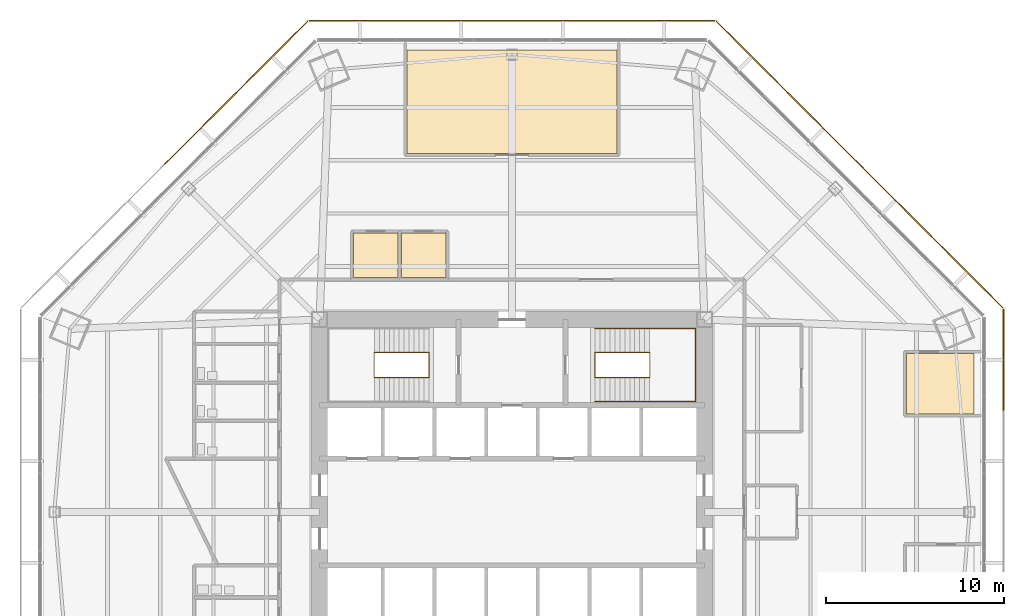
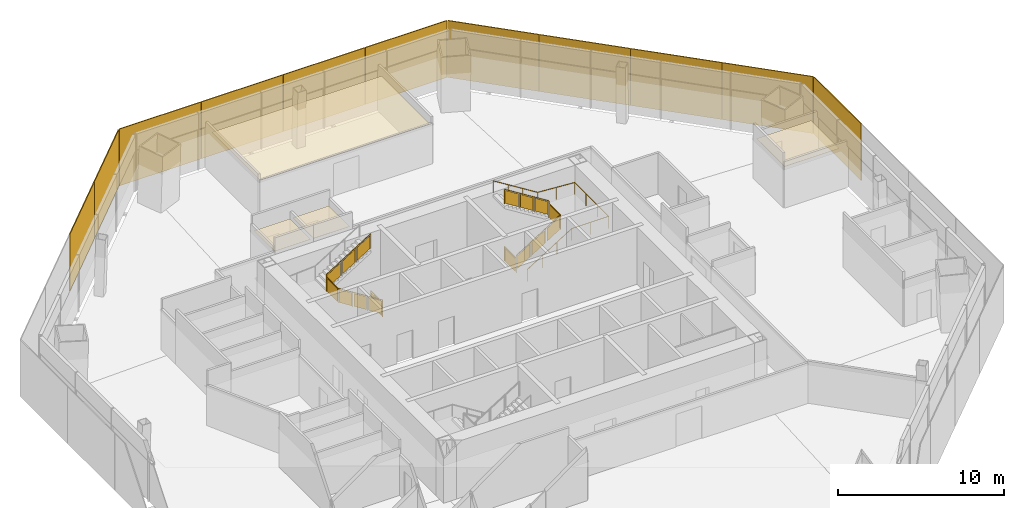
# One storey, part 13 of 14: 11 shading devices, 4 coverings, 3 railings.
"""IFC4 building model written with IfcOpenShell, lengths in metres."""

from ifc_helpers import new_model, si_unit, direction, frame, origin, origin_2d, place, context, subcontext, project, spatial, polyline, rectangle, circle, outline, extrude, source, transform, mapped, material, layer, layer_set, type_object, type_shapes, element, save


model = new_model("IFC4")

# Units and contexts
model_context = context("Model", 3, precision=1e-05, world=origin(), true_north=direction((0.0, 1.0)))
body_context = subcontext(model_context, "Body", "Model", "MODEL_VIEW")
ifc_project = project(units=[si_unit("LENGTHUNIT", "METRE"), si_unit("AREAUNIT", "SQUARE_METRE"), si_unit("VOLUMEUNIT", "CUBIC_METRE"), si_unit("PLANEANGLEUNIT", "RADIAN"), si_unit("MASSUNIT", "GRAM", prefix="KILO")], contexts=[model_context])

# Site, building, storey
site_placement = place(None, origin())
site = spatial("IfcSite", under=ifc_project, at=site_placement, CompositionType="ELEMENT")
building_placement = place(site_placement, origin())
building = spatial("IfcBuilding", under=site, at=building_placement, Name="Mashrafa Tower", CompositionType="ELEMENT")
storey_placement = place(building_placement, frame((0.0, 0.0, 54.0)))
storey = spatial("IfcBuildingStorey", under=building, at=storey_placement, Name="L11", CompositionType="ELEMENT", Elevation=54.0)

# Railings
ifc_material_1 = material(Name="Steel guard with glass infill", Category="steel")
railing_type_1 = type_object("IfcRailingType", Name="Stair guard 1100", PredefinedType="GUARDRAIL", material=ifc_material_1)
railing_1_placement = place(storey_placement, frame((-4.64990234375, 8.949951171875, 0.0)))
element("IfcRailing", 1, at=railing_1_placement, inside=storey, type_object=railing_type_1, Name="Stair S1 guard L11", PredefinedType="GUARDRAIL", context=body_context, shape_type="SweptSolid", body=[
    extrude(circle(Radius=0.02392578125, at=origin_2d()), frame((0.0, 0.0, 1.076171875), z_axis=(0.0, -1.0, 0.0), x_axis=(1.0, 0.0, 0.0)), (0.0, 0.0, 1.0), 1.39990234375),
    extrude(circle(Radius=0.02392578125, at=origin_2d()), frame((0.0, -1.39990234375, 1.076171875), z_axis=(0.0, 0.0, 1.0), x_axis=(1.0, 0.0, 0.0)), (0.0, 0.0, 1.0), 0.175048828125),
    extrude(circle(Radius=0.02392578125, at=origin_2d()), frame((0.0, -1.39990234375, 1.2509765625), z_axis=(-0.847998304005, 0.0, 0.529998940003), x_axis=(0.0, -1.0, 0.0)), (0.0, 0.0, 1.0), 3.632080078125),
    extrude(circle(Radius=0.02392578125, at=origin_2d()), frame((-3.080078125, -1.39990234375, 3.17626953125), z_axis=(0.0, 1.0, 0.0), x_axis=(-1.0, 0.0, 0.0)), (0.0, 0.0, 1.0), 1.39990234375),
    extrude(circle(Radius=0.02392578125, at=origin_2d()), frame((-3.080078125, 0.0, 3.17626953125), z_axis=(0.0, 0.0, 1.0), x_axis=(1.0, 0.0, 0.0)), (0.0, 0.0, 1.0), 0.1748046875),
    extrude(circle(Radius=0.02392578125, at=origin_2d()), frame((-3.080078125, 0.0, 3.35107421875), z_axis=(0.847998304005, 0.0, 0.529998940003), x_axis=(0.0, 1.0, 0.0)), (0.0, 0.0, 1.0), 3.632080078125),
    extrude(circle(Radius=0.02099609375, at=origin_2d()), origin(), (0.0, 0.0, 1.0), 1.052001953125),
    extrude(circle(Radius=0.02099609375, at=origin_2d()), frame((0.0, -1.39990234375, 0.0)), (0.0, 0.0, 1.0), 1.052001953125),
    extrude(circle(Radius=0.02099609375, at=origin_2d()), frame((0.0, -1.39990234375, 0.175048828125)), (0.0, 0.0, 1.0), 1.052001953125),
    extrude(circle(Radius=0.02099609375, at=origin_2d()), frame((-1.026611328125, -1.39990234375, 0.816650390625)), (0.0, 0.0, 1.0), 1.052001953125),
    extrude(circle(Radius=0.02099609375, at=origin_2d()), frame((-2.053466796875, -1.39990234375, 1.45849609375)), (0.0, 0.0, 1.0), 1.052001953125),
    extrude(circle(Radius=0.02099609375, at=origin_2d()), frame((-3.080078125, -1.39990234375, 2.10009765625)), (0.0, 0.0, 1.0), 1.052001953125),
    extrude(circle(Radius=0.02099609375, at=origin_2d()), frame((-3.080078125, 0.0, 2.10009765625)), (0.0, 0.0, 1.0), 1.052001953125),
    extrude(circle(Radius=0.02099609375, at=origin_2d()), frame((-3.080078125, 0.0, 2.27490234375)), (0.0, 0.0, 1.0), 1.052001953125),
    extrude(circle(Radius=0.02099609375, at=origin_2d()), frame((-2.053466796875, 0.0, 2.91650390625)), (0.0, 0.0, 1.0), 1.052001953125),
    extrude(circle(Radius=0.02099609375, at=origin_2d()), frame((-1.026611328125, 0.0, 3.558349609375)), (0.0, 0.0, 1.0), 1.052001953125),
    extrude(circle(Radius=0.02099609375, at=origin_2d()), frame((0.0, 0.0, 4.199951171875)), (0.0, 0.0, 1.0), 1.052001953125),
    extrude(outline(polyline([(0.071044921875, 0.050048828125), (1.328857421875, 0.050048828125), (1.328857421875, 1.001953125), (0.071044921875, 1.001953125), (0.071044921875, 0.050048828125)])), frame((-0.006103515625, 0.0, 0.0), z_axis=(-1.0, 0.0, 0.0), x_axis=(0.0, -1.0, 0.0)), (0.0, 0.0, 1.0), 0.011962890625),
    extrude(outline(polyline([(0.071044921875, 0.094482421875), (0.955810546875, 0.647216796875), (0.955810546875, 1.599365234375), (0.071044921875, 1.04638671875), (0.071044921875, 0.094482421875)])), frame((0.0, -1.393798828125, 0.175048828125), z_axis=(0.0, 1.0, 0.0), x_axis=(-1.0, 0.0, 0.0)), (0.0, 0.0, 1.0), 0.011962890625),
    extrude(outline(polyline([(1.09765625, 0.736083984375), (1.982421875, 1.2890625), (1.982421875, 2.240966796875), (1.09765625, 1.68798828125), (1.09765625, 0.736083984375)])), frame((0.0, -1.393798828125, 0.175048828125), z_axis=(0.0, 1.0, 0.0), x_axis=(-1.0, 0.0, 0.0)), (0.0, 0.0, 1.0), 0.011962890625),
    extrude(outline(polyline([(2.124267578125, 1.377685546875), (3.009033203125, 1.9306640625), (3.009033203125, 2.882568359375), (2.124267578125, 2.329833984375), (2.124267578125, 1.377685546875)])), frame((0.0, -1.393798828125, 0.175048828125), z_axis=(0.0, 1.0, 0.0), x_axis=(-1.0, 0.0, 0.0)), (0.0, 0.0, 1.0), 0.011962890625),
    extrude(outline(polyline([(0.071044921875, 0.050048828125), (1.328857421875, 0.050048828125), (1.328857421875, 1.001953125), (0.071044921875, 1.001953125), (0.071044921875, 0.050048828125)])), frame((-3.073974609375, -1.39990234375, 2.10009765625), z_axis=(1.0, 0.0, 0.0), x_axis=(0.0, 1.0, 0.0)), (0.0, 0.0, 1.0), 0.011962890625),
    extrude(outline(polyline([(0.071044921875, 0.094482421875), (0.955810546875, 0.647216796875), (0.955810546875, 1.599365234375), (0.071044921875, 1.04638671875), (0.071044921875, 0.094482421875)])), frame((-3.080078125, -0.006103515625, 2.27490234375), z_axis=(0.0, -1.0, 0.0), x_axis=(1.0, 0.0, 0.0)), (0.0, 0.0, 1.0), 0.011962890625),
    extrude(outline(polyline([(1.09765625, 0.736083984375), (1.982421875, 1.2890625), (1.982421875, 2.240966796875), (1.09765625, 1.68798828125), (1.09765625, 0.736083984375)])), frame((-3.080078125, -0.006103515625, 2.27490234375), z_axis=(0.0, -1.0, 0.0), x_axis=(1.0, 0.0, 0.0)), (0.0, 0.0, 1.0), 0.011962890625),
    extrude(outline(polyline([(2.124267578125, 1.377685546875), (3.009033203125, 1.9306640625), (3.009033203125, 2.882568359375), (2.124267578125, 2.329833984375), (2.124267578125, 1.377685546875)])), frame((-3.080078125, -0.006103515625, 2.27490234375), z_axis=(0.0, -1.0, 0.0), x_axis=(1.0, 0.0, 0.0)), (0.0, 0.0, 1.0), 0.011962890625),
])
railing_2_placement = place(storey_placement, frame((4.64990234375, 8.949951171875, 0.0)))
element("IfcRailing", 2, at=railing_2_placement, inside=storey, type_object=railing_type_1, Name="Stair S2 guard L11", PredefinedType="GUARDRAIL", context=body_context, shape_type="SweptSolid", body=[
    extrude(circle(Radius=0.02392578125, at=origin_2d()), frame((0.0, 0.0, 1.076171875), z_axis=(0.0, -1.0, 0.0), x_axis=(1.0, 0.0, 0.0)), (0.0, 0.0, 1.0), 1.39990234375),
    extrude(circle(Radius=0.02392578125, at=origin_2d()), frame((0.0, -1.39990234375, 1.076171875), z_axis=(0.0, 0.0, 1.0), x_axis=(1.0, 0.0, 0.0)), (0.0, 0.0, 1.0), 0.175048828125),
    extrude(circle(Radius=0.02392578125, at=origin_2d()), frame((0.0, -1.39990234375, 1.2509765625), z_axis=(0.847998304005, 0.0, 0.529998940003), x_axis=(0.0, 1.0, 0.0)), (0.0, 0.0, 1.0), 3.632080078125),
    extrude(circle(Radius=0.02392578125, at=origin_2d()), frame((3.080078125, -1.39990234375, 3.17626953125), z_axis=(0.0, 1.0, 0.0), x_axis=(-1.0, 0.0, 0.0)), (0.0, 0.0, 1.0), 1.39990234375),
    extrude(circle(Radius=0.02392578125, at=origin_2d()), frame((3.080078125, 0.0, 3.17626953125), z_axis=(0.0, 0.0, 1.0), x_axis=(1.0, 0.0, 0.0)), (0.0, 0.0, 1.0), 0.1748046875),
    extrude(circle(Radius=0.02392578125, at=origin_2d()), frame((3.080078125, 0.0, 3.35107421875), z_axis=(-0.847998304005, 0.0, 0.529998940003), x_axis=(0.0, -1.0, 0.0)), (0.0, 0.0, 1.0), 3.632080078125),
    extrude(circle(Radius=0.02099609375, at=origin_2d()), origin(), (0.0, 0.0, 1.0), 1.052001953125),
    extrude(circle(Radius=0.02099609375, at=origin_2d()), frame((0.0, -1.39990234375, 0.0)), (0.0, 0.0, 1.0), 1.052001953125),
    extrude(circle(Radius=0.02099609375, at=origin_2d()), frame((0.0, -1.39990234375, 0.175048828125)), (0.0, 0.0, 1.0), 1.052001953125),
    extrude(circle(Radius=0.02099609375, at=origin_2d()), frame((1.026611328125, -1.39990234375, 0.816650390625)), (0.0, 0.0, 1.0), 1.052001953125),
    extrude(circle(Radius=0.02099609375, at=origin_2d()), frame((2.053466796875, -1.39990234375, 1.45849609375)), (0.0, 0.0, 1.0), 1.052001953125),
    extrude(circle(Radius=0.02099609375, at=origin_2d()), frame((3.080078125, -1.39990234375, 2.10009765625)), (0.0, 0.0, 1.0), 1.052001953125),
    extrude(circle(Radius=0.02099609375, at=origin_2d()), frame((3.080078125, 0.0, 2.10009765625)), (0.0, 0.0, 1.0), 1.052001953125),
    extrude(circle(Radius=0.02099609375, at=origin_2d()), frame((3.080078125, 0.0, 2.27490234375)), (0.0, 0.0, 1.0), 1.052001953125),
    extrude(circle(Radius=0.02099609375, at=origin_2d()), frame((2.053466796875, 0.0, 2.91650390625)), (0.0, 0.0, 1.0), 1.052001953125),
    extrude(circle(Radius=0.02099609375, at=origin_2d()), frame((1.026611328125, 0.0, 3.558349609375)), (0.0, 0.0, 1.0), 1.052001953125),
    extrude(circle(Radius=0.02099609375, at=origin_2d()), frame((0.0, 0.0, 4.199951171875)), (0.0, 0.0, 1.0), 1.052001953125),
    extrude(outline(polyline([(0.071044921875, 0.050048828125), (1.328857421875, 0.050048828125), (1.328857421875, 1.001953125), (0.071044921875, 1.001953125), (0.071044921875, 0.050048828125)])), frame((-0.006103515625, 0.0, 0.0), z_axis=(-1.0, 0.0, 0.0), x_axis=(0.0, -1.0, 0.0)), (0.0, 0.0, 1.0), 0.011962890625),
    extrude(outline(polyline([(0.071044921875, 0.094482421875), (0.955810546875, 0.647216796875), (0.955810546875, 1.599365234375), (0.071044921875, 1.04638671875), (0.071044921875, 0.094482421875)])), frame((0.0, -1.406005859375, 0.175048828125), z_axis=(0.0, -1.0, 0.0), x_axis=(1.0, 0.0, 0.0)), (0.0, 0.0, 1.0), 0.011962890625),
    extrude(outline(polyline([(1.09765625, 0.736083984375), (1.982421875, 1.2890625), (1.982421875, 2.240966796875), (1.09765625, 1.68798828125), (1.09765625, 0.736083984375)])), frame((0.0, -1.406005859375, 0.175048828125), z_axis=(0.0, -1.0, 0.0), x_axis=(1.0, 0.0, 0.0)), (0.0, 0.0, 1.0), 0.011962890625),
    extrude(outline(polyline([(2.124267578125, 1.377685546875), (3.009033203125, 1.9306640625), (3.009033203125, 2.882568359375), (2.124267578125, 2.329833984375), (2.124267578125, 1.377685546875)])), frame((0.0, -1.406005859375, 0.175048828125), z_axis=(0.0, -1.0, 0.0), x_axis=(1.0, 0.0, 0.0)), (0.0, 0.0, 1.0), 0.011962890625),
    extrude(outline(polyline([(0.071044921875, 0.050048828125), (1.328857421875, 0.050048828125), (1.328857421875, 1.001953125), (0.071044921875, 1.001953125), (0.071044921875, 0.050048828125)])), frame((3.086181640625, -1.39990234375, 2.10009765625), z_axis=(1.0, 0.0, 0.0), x_axis=(0.0, 1.0, 0.0)), (0.0, 0.0, 1.0), 0.011962890625),
    extrude(outline(polyline([(0.071044921875, 0.094482421875), (0.955810546875, 0.647216796875), (0.955810546875, 1.599365234375), (0.071044921875, 1.04638671875), (0.071044921875, 0.094482421875)])), frame((3.080078125, 0.006103515625, 2.27490234375), z_axis=(0.0, 1.0, 0.0), x_axis=(-1.0, 0.0, 0.0)), (0.0, 0.0, 1.0), 0.011962890625),
    extrude(outline(polyline([(1.09765625, 0.736083984375), (1.982421875, 1.2890625), (1.982421875, 2.240966796875), (1.09765625, 1.68798828125), (1.09765625, 0.736083984375)])), frame((3.080078125, 0.006103515625, 2.27490234375), z_axis=(0.0, 1.0, 0.0), x_axis=(-1.0, 0.0, 0.0)), (0.0, 0.0, 1.0), 0.011962890625),
    extrude(outline(polyline([(2.124267578125, 1.377685546875), (3.009033203125, 1.9306640625), (3.009033203125, 2.882568359375), (2.124267578125, 2.329833984375), (2.124267578125, 1.377685546875)])), frame((3.080078125, 0.006103515625, 2.27490234375), z_axis=(0.0, 1.0, 0.0), x_axis=(-1.0, 0.0, 0.0)), (0.0, 0.0, 1.0), 0.011962890625),
])
ifc_material_2 = material(Name="Steel", Category="steel")
railing_type_2 = type_object("IfcRailingType", Name="Stair handrail 900", PredefinedType="HANDRAIL", material=ifc_material_2)
railing_3_placement = place(storey_placement, frame((4.64990234375, 6.199951171875, 0.175048828125)))
element("IfcRailing", 3, at=railing_3_placement, inside=storey, type_object=railing_type_2, Name="Stair S2 handrail L11", PredefinedType="HANDRAIL", context=body_context, shape_type="SweptSolid", body=[
    extrude(circle(Radius=0.02392578125, at=origin_2d()), frame((0.0, 0.0, 0.8759765625), z_axis=(0.847998304005, 0.0, 0.529998940003), x_axis=(0.0, 1.0, 0.0)), (0.0, 0.0, 1.0), 3.632080078125),
    extrude(circle(Radius=0.02392578125, at=origin_2d()), frame((3.080078125, 0.0, 2.80078125), z_axis=(1.0, 0.0, 0.0), x_axis=(0.0, 1.0, 0.0)), (0.0, 0.0, 1.0), 2.570068359375),
    extrude(circle(Radius=0.02392578125, at=origin_2d()), frame((5.650146484375, 0.0, 2.80078125), z_axis=(0.0, 1.0, 0.0), x_axis=(-1.0, 0.0, 0.0)), (0.0, 0.0, 1.0), 4.10009765625),
    extrude(circle(Radius=0.02392578125, at=origin_2d()), frame((5.650146484375, 4.10009765625, 2.80078125), z_axis=(-0.99769493506, 0.0, 0.067858798661), x_axis=(0.0, -1.0, 0.0)), (0.0, 0.0, 1.0), 2.575927734375),
    extrude(circle(Radius=0.02392578125, at=origin_2d()), frame((3.080078125, 4.10009765625, 2.9755859375), z_axis=(-0.847998304005, 0.0, 0.529998940003), x_axis=(0.0, -1.0, 0.0)), (0.0, 0.0, 1.0), 3.632080078125),
    extrude(circle(Radius=0.02099609375, at=origin_2d()), origin(), (0.0, 0.0, 1.0), 0.851806640625),
    extrude(circle(Radius=0.02099609375, at=origin_2d()), frame((1.026611328125, 0.0, 0.6416015625)), (0.0, 0.0, 1.0), 0.851806640625),
    extrude(circle(Radius=0.02099609375, at=origin_2d()), frame((2.053466796875, 0.0, 1.283447265625)), (0.0, 0.0, 1.0), 0.851806640625),
    extrude(circle(Radius=0.02099609375, at=origin_2d()), frame((3.080078125, 0.0, 1.925048828125)), (0.0, 0.0, 1.0), 0.851806640625),
    extrude(circle(Radius=0.02099609375, at=origin_2d()), frame((4.365234375, 0.0, 1.925048828125)), (0.0, 0.0, 1.0), 0.851806640625),
    extrude(circle(Radius=0.02099609375, at=origin_2d()), frame((5.650146484375, 0.0, 1.925048828125)), (0.0, 0.0, 1.0), 0.851806640625),
    extrude(circle(Radius=0.02099609375, at=origin_2d()), frame((5.650146484375, 1.36669921875, 1.925048828125)), (0.0, 0.0, 1.0), 0.851806640625),
    extrude(circle(Radius=0.02099609375, at=origin_2d()), frame((5.650146484375, 2.7333984375, 1.925048828125)), (0.0, 0.0, 1.0), 0.851806640625),
    extrude(circle(Radius=0.02099609375, at=origin_2d()), frame((5.650146484375, 4.10009765625, 1.925048828125)), (0.0, 0.0, 1.0), 0.851806640625),
    extrude(circle(Radius=0.02099609375, at=origin_2d()), frame((4.365234375, 4.10009765625, 2.012451171875)), (0.0, 0.0, 1.0), 0.851806640625),
    extrude(circle(Radius=0.02099609375, at=origin_2d()), frame((3.080078125, 4.10009765625, 2.099853515625)), (0.0, 0.0, 1.0), 0.851806640625),
    extrude(circle(Radius=0.02099609375, at=origin_2d()), frame((2.053466796875, 4.10009765625, 2.741455078125)), (0.0, 0.0, 1.0), 0.851806640625),
    extrude(circle(Radius=0.02099609375, at=origin_2d()), frame((1.026611328125, 4.10009765625, 3.38330078125)), (0.0, 0.0, 1.0), 0.851806640625),
    extrude(circle(Radius=0.02099609375, at=origin_2d()), frame((0.0, 4.10009765625, 4.02490234375)), (0.0, 0.0, 1.0), 0.851806640625),
])

# Coverings
ifc_material_3 = material(Name="Mineral fibre tile on suspension grid")
ifc_layer_1 = layer(ifc_material_3, 0.014892578125)
ifc_layer_set_1 = layer_set([ifc_layer_1], Name="Suspended ceiling mineral tile 15")
covering_type = type_object("IfcCoveringType", Name="Suspended ceiling mineral tile 15", PredefinedType="CEILING", material=ifc_layer_set_1)
covering_1_placement = place(storey_placement, frame((0.0, 0.0, 2.89990234375)))
element("IfcCovering", 4, at=covering_1_placement, inside=storey, type_object=covering_type, Name="Ceiling Meeting Room 11-3", PredefinedType="CEILING", context=body_context, shape_type="SweptSolid", body=[
    extrude(outline(polyline([(22.13720703125, 8.89990234375), (25.93701171875, 8.89990234375), (25.93701171875, 5.5), (22.13720703125, 5.5), (22.13720703125, 8.89990234375)])), origin(), (0.0, 0.0, 1.0), 0.01513671875),
])
covering_2_placement = place(storey_placement, frame((0.0, 0.0, 2.85009765625)))
element("IfcCovering", 5, at=covering_2_placement, inside=storey, type_object=covering_type, Name="Ceiling Training Room 11", PredefinedType="CEILING", context=body_context, shape_type="SweptSolid", body=[
    extrude(outline(polyline([(-5.89990234375, 25.93701171875), (5.89990234375, 25.93701171875), (5.89990234375, 20.13720703125), (-5.89990234375, 20.13720703125), (-5.89990234375, 25.93701171875)])), origin(), (0.0, 0.0, 1.0), 0.014892578125),
])
covering_3_placement = place(storey_placement, frame((0.0, 0.0, 2.89990234375)))
element("IfcCovering", 6, at=covering_3_placement, inside=storey, type_object=covering_type, Name="Ceiling Quiet Room 11-1", PredefinedType="CEILING", context=body_context, shape_type="SweptSolid", body=[
    extrude(outline(polyline([(-6.199951171875, 15.64990234375), (-3.699951171875, 15.64990234375), (-3.699951171875, 13.14990234375), (-6.199951171875, 13.14990234375), (-6.199951171875, 15.64990234375)])), origin(), (0.0, 0.0, 1.0), 0.01513671875),
])
covering_4_placement = place(storey_placement, frame((0.0, 0.0, 2.89990234375)))
element("IfcCovering", 7, at=covering_4_placement, inside=storey, type_object=covering_type, Name="Ceiling Quiet Room 11-2", PredefinedType="CEILING", context=body_context, shape_type="SweptSolid", body=[
    extrude(outline(polyline([(-8.89990234375, 15.64990234375), (-6.39990234375, 15.64990234375), (-6.39990234375, 13.14990234375), (-8.89990234375, 13.14990234375), (-8.89990234375, 15.64990234375)])), origin(), (0.0, 0.0, 1.0), 0.01513671875),
])

# Shading devices
ifc_material_4 = material(Name="Perforated aluminium plate, eight-point star pattern", Category="aluminium")
ifc_layer_2 = layer(ifc_material_4, 0.06005859375)
ifc_layer_set_2 = layer_set([ifc_layer_2], Name="Mashrabiya screen panel office zone 1, 45 percent open")
shading_device_type = type_object("IfcShadingDeviceType", Name="Mashrabiya screen panel office zone 1, 45 percent open", PredefinedType="SHUTTER", material=ifc_layer_set_2)
shared_shape = source(origin(), body_context, "Body", "SweptSolid", [
    extrude(rectangle(XDim=5.682373046875, YDim=0.06005859375, at=origin_2d()), origin(), (0.0, 0.0, 1.0), 4.179931640625),
])
type_shapes(shading_device_type, [shared_shape])
for number, where, z_axis, x_axis, name in (
    (8, (27.587158203125, 8.553466796875, -0.14990234375), (0.0, 0.0, 1.0), (0.0, 1.0, 0.0), "Mashrabiya screen L11 east 4"),
    (9, (25.55517578125, 13.458984375, -0.14990234375), (0.0, 0.0, 1.0), (-0.707106781187, 0.707106781187, 0.0), "Mashrabiya screen L11 north-east 1"),
    (10, (21.523193359375, 17.490966796875, -0.14990234375), (0.0, 0.0, 1.0), (-0.707106781187, 0.707106781187, 0.0), "Mashrabiya screen L11 north-east 2"),
    (11, (17.490966796875, 21.523193359375, -0.14990234375), (0.0, 0.0, 1.0), (-0.707106781187, 0.707106781187, 0.0), "Mashrabiya screen L11 north-east 3"),
    (12, (13.458984375, 25.55517578125, -0.14990234375), (0.0, 0.0, 1.0), (-0.707106781187, 0.707106781187, 0.0), "Mashrabiya screen L11 north-east 4"),
    (13, (8.553466796875, 27.587158203125, -0.14990234375), (0.0, 0.0, 1.0), (-1.0, 0.0, 0.0), "Mashrabiya screen L11 north 1"),
    (14, (2.85107421875, 27.587158203125, -0.14990234375), (0.0, 0.0, 1.0), (-1.0, 0.0, 0.0), "Mashrabiya screen L11 north 2"),
    (15, (-2.85107421875, 27.587158203125, -0.14990234375), (0.0, 0.0, 1.0), (-1.0, 0.0, 0.0), "Mashrabiya screen L11 north 3"),
    (16, (-8.553466796875, 27.587158203125, -0.14990234375), (0.0, 0.0, 1.0), (-1.0, 0.0, 0.0), "Mashrabiya screen L11 north 4"),
    (17, (-13.458984375, 25.55517578125, -0.14990234375), (0.0, 0.0, 1.0), (-0.707106781187, -0.707106781187, 0.0), "Mashrabiya screen L11 north-west 1"),
    (18, (-17.490966796875, 21.523193359375, -0.14990234375), (0.0, 0.0, 1.0), (-0.707106781187, -0.707106781187, 0.0), "Mashrabiya screen L11 north-west 2"),
):
    element("IfcShadingDevice", number, at=place(storey_placement, frame(where, z_axis=z_axis, x_axis=x_axis)), inside=storey, type_object=shading_device_type, Name=name, PredefinedType="SHUTTER", context=body_context, shape_type="MappedRepresentation", body=[
        mapped(shared_shape, transform((0.0, 0.0, 0.0))),
    ])

save(model, "model.ifc")
